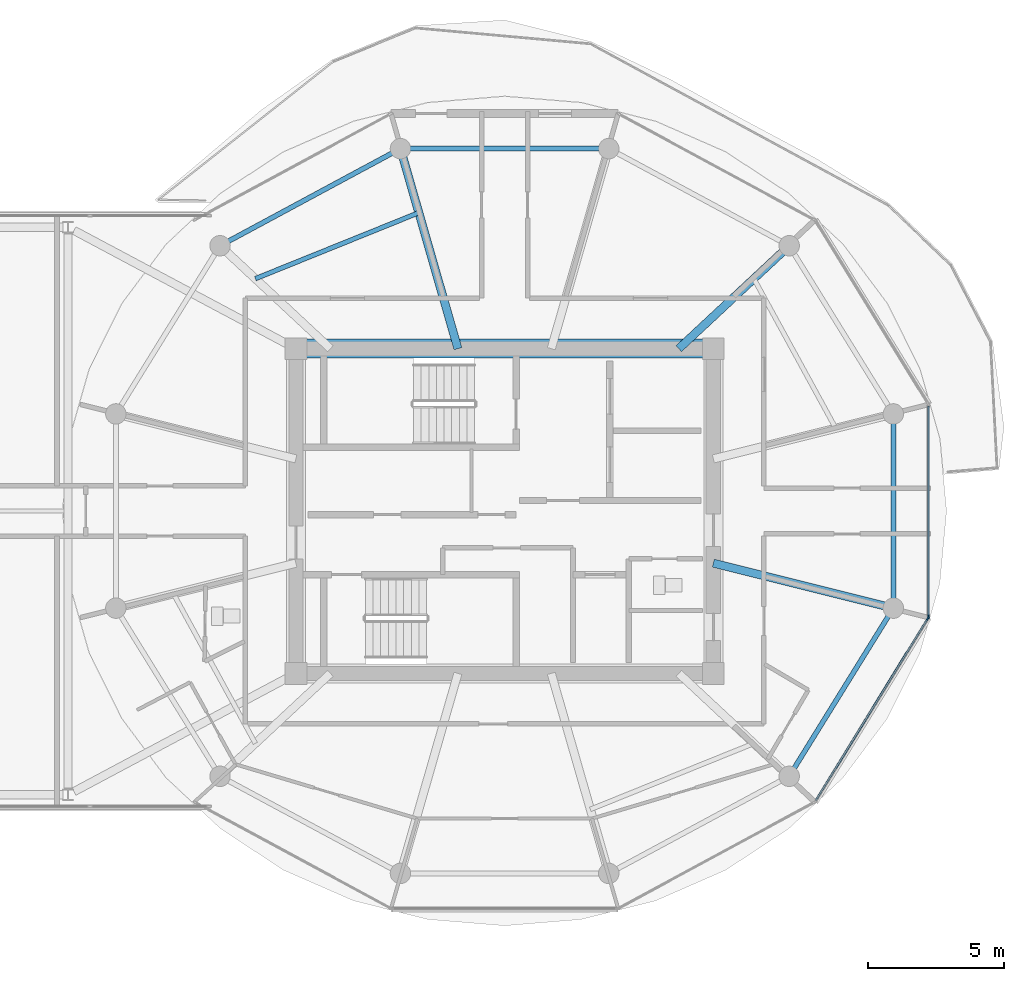
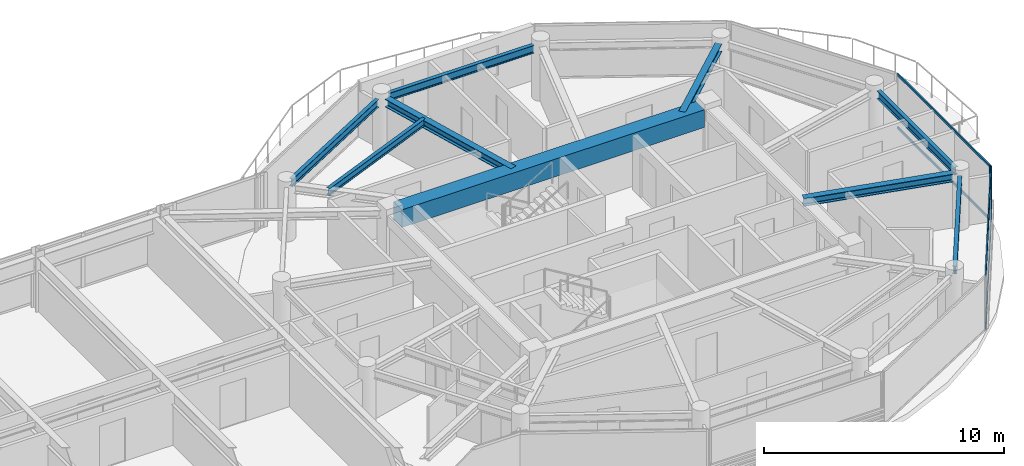
# One storey, part 10 of 24: 9 beams, 6 members, 2 elements without a shape of their own.
"""IFC4 building model written with IfcOpenShell, lengths in metres."""

from ifc_helpers import new_model, si_unit, direction, frame, origin, origin_2d, place, context, subcontext, project, spatial, rectangle, i_section, extrude, source, transform, mapped, material, layer, layer_set, material_profile, profile_set, type_object, type_shapes, element, aggregate, save


model = new_model("IFC4")

# Units and contexts
model_context = context("Model", 3, precision=1e-05, world=origin(), true_north=direction((0.0, 1.0)))
body_context = subcontext(model_context, "Body", "Model", "MODEL_VIEW")
ifc_project = project(units=[si_unit("LENGTHUNIT", "METRE"), si_unit("AREAUNIT", "SQUARE_METRE"), si_unit("VOLUMEUNIT", "CUBIC_METRE"), si_unit("PLANEANGLEUNIT", "RADIAN"), si_unit("MASSUNIT", "GRAM", prefix="KILO")], contexts=[model_context])

# Site, building, storey
site_placement = place(None, origin())
site = spatial("IfcSite", under=ifc_project, at=site_placement, CompositionType="ELEMENT")
building_placement = place(site_placement, origin())
building = spatial("IfcBuilding", under=site, at=building_placement, Name="Norrkilde Senior Care Towers", CompositionType="ELEMENT")
storey_placement = place(building_placement, frame((0.0, 0.0, 226.10009765625)))
storey = spatial("IfcBuildingStorey", under=building, at=storey_placement, Name="L70", CompositionType="ELEMENT", Elevation=226.10009765625)

# Beams
ifc_material_1 = material(Name="Concrete C60/75", Category="concrete")
ifc_material_profile_1 = material_profile(ifc_material_1, rectangle(XDim=0.699951171875, YDim=0.89990234375, at=origin_2d()), Name="RC BM 700x900")
ifc_profile_set_1 = profile_set([ifc_material_profile_1], Name="Concrete C60/75")
beam_type_1 = type_object("IfcBeamType", Name="Core Coupling Girder 700x900", PredefinedType="USERDEFINED", material=ifc_profile_set_1)
shared_shape_1 = source(origin(), body_context, "Body", "SweptSolid", [
    extrude(rectangle(XDim=0.699951171875, YDim=0.89990234375, at=origin_2d()), origin(), (0.0, 0.0, 1.0), 14.5400390625),
])
type_shapes(beam_type_1, [shared_shape_1])
beam_1_placement = place(storey_placement, frame((20.72998046875, 5.949951171875, 2.309814453125), z_axis=(1.0, 0.0, 0.0), x_axis=(0.0, 1.0, 0.0)))
element("IfcBeam", 1, at=beam_1_placement, inside=storey, type_object=beam_type_1, Name="L70 Core E N Coupling Girder", ObjectType="GIRDER", PredefinedType="USERDEFINED", context=body_context, shape_type="MappedRepresentation", body=[
    mapped(shared_shape_1, transform((0.0, 0.0, 0.0), x_axis=(1.0, 0.0, 0.0), y_axis=(0.0, 1.0, 0.0), z_axis=(0.0, 0.0, 1.0), scale=1.0)),
])
ifc_material_2 = material(Name="Steel S355", Category="steel")
ifc_material_profile_2 = material_profile(ifc_material_2, i_section(OverallWidth=0.179931640625, OverallDepth=0.39990234375, WebThickness=0.008544921875, FlangeThickness=0.013427734375, FilletRadius=0.02099609375, at=origin_2d()), Name="IPE 400")
ifc_profile_set_2 = profile_set([ifc_material_profile_2], Name="Steel S355")
beam_type_2 = type_object("IfcBeamType", Name="Perimeter Ring Spandrel Z4 IPE400", PredefinedType="SPANDREL", material=ifc_profile_set_2)
shared_shape_2 = source(origin(), body_context, "Body", "SweptSolid", [
    extrude(i_section(OverallWidth=0.179931640625, OverallDepth=0.39990234375, WebThickness=0.008544921875, FlangeThickness=0.013427734375, FilletRadius=0.02099609375, at=origin_2d()), origin(), (0.0, 0.0, 1.0), 6.58056640625),
])
beam_2_placement = place(storey_placement, frame((38.606201171875, -9.43798828125, 2.559814453125), z_axis=(0.526529583789, 0.850156807533, 0.0), x_axis=(-0.850156807533, 0.526529583789, 0.0)))
element("IfcBeam", 2, at=beam_2_placement, inside=storey, type_object=beam_type_2, Name="L70 Drum E Perimeter Spandrel 11", PredefinedType="SPANDREL", context=body_context, shape_type="MappedRepresentation", body=[
    mapped(shared_shape_2, transform((0.0, 0.0, 0.0), x_axis=(1.0, 0.0, 0.0), y_axis=(0.0, 1.0, 0.0), z_axis=(0.0, 0.0, 1.0), scale=1.0)),
])
ifc_material_profile_3 = material_profile(ifc_material_2, i_section(OverallWidth=0.300048828125, OverallDepth=0.39990234375, WebThickness=0.013427734375, FlangeThickness=0.02392578125, FilletRadius=0.027099609375, at=origin_2d()), Name="HEB 400")
ifc_profile_set_3 = profile_set([ifc_material_profile_3], Name="Steel S355")
beam_type_3 = type_object("IfcBeamType", Name="Radial Floor Beam Z4 HEB400", PredefinedType="BEAM", material=ifc_profile_set_3)
shared_shape_3 = source(origin(), body_context, "Body", "SweptSolid", [
    extrude(i_section(OverallWidth=0.300048828125, OverallDepth=0.39990234375, WebThickness=0.013427734375, FlangeThickness=0.02392578125, FilletRadius=0.027099609375, at=origin_2d()), origin(), (0.0, 0.0, 1.0), 6.465087890625),
])
beam_3_placement = place(storey_placement, frame((35.64990234375, -1.910888671875, 2.559814453125), z_axis=(0.970195788563, -0.242322371758, 0.0), x_axis=(0.242322371758, 0.970195788563, 0.0)))
element("IfcBeam", 3, at=beam_3_placement, inside=storey, type_object=beam_type_3, Name="L70 Drum E Radial Floor Beam 12", PredefinedType="BEAM", context=body_context, shape_type="MappedRepresentation", body=[
    mapped(shared_shape_3, transform((0.0, 0.0, 0.0), x_axis=(1.0, 0.0, 0.0), y_axis=(0.0, 1.0, 0.0), z_axis=(0.0, 0.0, 1.0), scale=1.0)),
])
shared_shape_4 = source(origin(), body_context, "Body", "SweptSolid", [
    extrude(i_section(OverallWidth=0.179931640625, OverallDepth=0.39990234375, WebThickness=0.008544921875, FlangeThickness=0.013427734375, FilletRadius=0.02099609375, at=origin_2d()), origin(), (0.0, 0.0, 1.0), 6.839111328125),
])
beam_4_placement = place(storey_placement, frame((23.887451171875, 13.122802734375, 2.559814453125), z_axis=(-0.880563930732, -0.473927382511, 0.0), x_axis=(0.473927382511, -0.880563930732, 0.0)))
element("IfcBeam", 4, at=beam_4_placement, inside=storey, type_object=beam_type_2, Name="L70 Drum E Perimeter Spandrel 04", PredefinedType="SPANDREL", context=body_context, shape_type="MappedRepresentation", body=[
    mapped(shared_shape_4, transform((0.0, 0.0, 0.0), x_axis=(1.0, 0.0, 0.0), y_axis=(0.0, 1.0, 0.0), z_axis=(0.0, 0.0, 1.0), scale=1.0)),
])
shared_shape_5 = source(origin(), body_context, "Body", "SweptSolid", [
    extrude(i_section(OverallWidth=0.300048828125, OverallDepth=0.39990234375, WebThickness=0.013427734375, FlangeThickness=0.02392578125, FilletRadius=0.027099609375, at=origin_2d()), origin(), (0.0, 0.0, 1.0), 5.197998046875),
])
beam_5_placement = place(storey_placement, frame((34.3828125, 5.949951171875, 2.559814453125), z_axis=(0.731448749334, 0.681896419625, 0.0), x_axis=(-0.681896419625, 0.731448749334, 0.0)))
element("IfcBeam", 5, at=beam_5_placement, inside=storey, type_object=beam_type_3, Name="L70 Drum E Radial Floor Beam 02", PredefinedType="BEAM", context=body_context, shape_type="MappedRepresentation", body=[
    mapped(shared_shape_5, transform((0.0, 0.0, 0.0), x_axis=(1.0, 0.0, 0.0), y_axis=(0.0, 1.0, 0.0), z_axis=(0.0, 0.0, 1.0), scale=1.0)),
])
shared_shape_6 = source(origin(), body_context, "Body", "SweptSolid", [
    extrude(i_section(OverallWidth=0.179931640625, OverallDepth=0.39990234375, WebThickness=0.008544921875, FlangeThickness=0.013427734375, FilletRadius=0.02099609375, at=origin_2d()), origin(), (0.0, 0.0, 1.0), 6.96533203125),
])
beam_6_placement = place(storey_placement, frame((31.482666015625, 13.281494140625, 2.559814453125), z_axis=(-1.0, 0.0, 0.0), x_axis=(0.0, -1.0, 0.0)))
element("IfcBeam", 6, at=beam_6_placement, inside=storey, type_object=beam_type_2, Name="L70 Drum E Perimeter Spandrel 03", PredefinedType="SPANDREL", context=body_context, shape_type="MappedRepresentation", body=[
    mapped(shared_shape_6, transform((0.0, 0.0, 0.0), x_axis=(1.0, 0.0, 0.0), y_axis=(0.0, 1.0, 0.0), z_axis=(0.0, 0.0, 1.0), scale=1.0)),
])
shared_shape_7 = source(origin(), body_context, "Body", "SweptSolid", [
    extrude(i_section(OverallWidth=0.300048828125, OverallDepth=0.39990234375, WebThickness=0.013427734375, FlangeThickness=0.02392578125, FilletRadius=0.027099609375, at=origin_2d()), origin(), (0.0, 0.0, 1.0), 7.29345703125),
])
type_shapes(beam_type_3, [shared_shape_3, shared_shape_5, shared_shape_7])
beam_7_placement = place(storey_placement, frame((26.289794921875, 5.949951171875, 2.559814453125), z_axis=(-0.276263751906, 0.961081858836, 0.0), x_axis=(-0.961081858836, -0.276263751906, 0.0)))
element("IfcBeam", 7, at=beam_7_placement, inside=storey, type_object=beam_type_3, Name="L70 Drum E Radial Floor Beam 04", PredefinedType="BEAM", context=body_context, shape_type="MappedRepresentation", body=[
    mapped(shared_shape_7, transform((0.0, 0.0, 0.0), x_axis=(1.0, 0.0, 0.0), y_axis=(0.0, 1.0, 0.0), z_axis=(0.0, 0.0, 1.0), scale=1.0)),
])
shared_shape_8 = source(origin(), body_context, "Body", "SweptSolid", [
    extrude(i_section(OverallWidth=0.179931640625, OverallDepth=0.39990234375, WebThickness=0.008544921875, FlangeThickness=0.013427734375, FilletRadius=0.02099609375, at=origin_2d()), origin(), (0.0, 0.0, 1.0), 6.44775390625),
])
type_shapes(beam_type_2, [shared_shape_2, shared_shape_4, shared_shape_6, shared_shape_8])
beam_8_placement = place(storey_placement, frame((42.247314453125, -3.223876953125, 2.559814453125), z_axis=(0.0, 1.0, 0.0), x_axis=(-1.0, 0.0, 0.0)))
element("IfcBeam", 8, at=beam_8_placement, inside=storey, type_object=beam_type_2, Name="L70 Drum E Perimeter Spandrel 12", PredefinedType="SPANDREL", context=body_context, shape_type="MappedRepresentation", body=[
    mapped(shared_shape_8, transform((0.0, 0.0, 0.0), x_axis=(1.0, 0.0, 0.0), y_axis=(0.0, 1.0, 0.0), z_axis=(0.0, 0.0, 1.0), scale=1.0)),
])
ifc_material_profile_4 = material_profile(ifc_material_2, i_section(OverallWidth=0.169921875, OverallDepth=0.360107421875, WebThickness=0.008056640625, FlangeThickness=0.0126953125, FilletRadius=0.01806640625, at=origin_2d()), Name="IPE 360")
ifc_profile_set_4 = profile_set([ifc_material_profile_4], Name="Steel S355")
beam_type_4 = type_object("IfcBeamType", Name="Secondary Floor Joist IPE360", PredefinedType="JOIST", material=ifc_profile_set_4)
shared_shape_9 = source(origin(), body_context, "Body", "SweptSolid", [
    extrude(i_section(OverallWidth=0.169921875, OverallDepth=0.360107421875, WebThickness=0.008056640625, FlangeThickness=0.0126953125, FilletRadius=0.01806640625, at=origin_2d()), origin(), (0.0, 0.0, 1.0), 6.461669921875),
])
type_shapes(beam_type_4, [shared_shape_9])
beam_9_placement = place(storey_placement, frame((24.856689453125, 10.935302734375, 2.579833984375), z_axis=(-0.927225942298, -0.374502405772, 0.0), x_axis=(0.374502405772, -0.927225942298, 0.0)))
element("IfcBeam", 9, at=beam_9_placement, inside=storey, type_object=beam_type_4, Name="L70 Drum E Secondary Floor Joist 2", PredefinedType="JOIST", context=body_context, shape_type="MappedRepresentation", body=[
    mapped(shared_shape_9, transform((0.0, 0.0, 0.0), x_axis=(1.0, 0.0, 0.0), y_axis=(0.0, 1.0, 0.0), z_axis=(0.0, 0.0, 1.0), scale=1.0)),
])

# Curtain wall, members
ifc_material_3 = material(Name="Triple Low-E Insulated Glazing", Category="glass")
ifc_layer = layer(ifc_material_3, 0.18505859375)
ifc_layer_set = layer_set([ifc_layer], Name="Triple Low-E Insulated Glazing")
curtain_wall_type = type_object("IfcCurtainWallType", Name="CW6 Zone 4 Crown Pavilion Curtain Wall", PredefinedType="NOTDEFINED", material=ifc_layer_set)
curtain_wall_1_placement = place(storey_placement, origin())
curtain_wall_1 = element("IfcCurtainWall", 10, at=curtain_wall_1_placement, inside=storey, type_object=curtain_wall_type, Name="L70 Drum E Curtain Wall 10", PredefinedType="NOTDEFINED")
ifc_material_4 = material(Name="Anodised Aluminium", Category="aluminium")
ifc_material_profile_5 = material_profile(ifc_material_4, rectangle(XDim=0.06005859375, YDim=0.1201171875, at=origin_2d()), Name="ALU TRAN 60x120")
ifc_profile_set_5 = profile_set([ifc_material_profile_5], Name="Anodised Aluminium")
member_type_1 = type_object("IfcMemberType", Name="Curtain Wall Transom Typical 60x120", PredefinedType="USERDEFINED", material=ifc_profile_set_5)
shared_shape_10 = source(origin(), body_context, "Body", "SweptSolid", [
    extrude(rectangle(XDim=0.06005859375, YDim=0.1201171875, at=origin_2d()), origin(), (0.0, 0.0, 1.0), 7.808837890625),
])
member_1_placement = place(storey_placement, frame((43.498046875, -3.958251953125, 0.02978515625), z_axis=(-0.524250924101, -0.851563837055, 0.0), x_axis=(0.851563837055, -0.524250924101, 0.0)))
member_1 = element("IfcMember", 11, at=member_1_placement, type_object=member_type_1, Name="CW-6 transom 1.1", ObjectType="TRANSOM", PredefinedType="USERDEFINED", context=body_context, shape_type="MappedRepresentation", body=[
    mapped(shared_shape_10, transform((0.0, 0.0, 0.0), x_axis=(1.0, 0.0, 0.0), y_axis=(0.0, 1.0, 0.0), z_axis=(0.0, 0.0, 1.0), scale=1.0)),
])
member_2_placement = place(storey_placement, frame((43.498046875, -3.958251953125, 2.72998046875), z_axis=(-0.524250924101, -0.851563837055, 0.0), x_axis=(0.851563837055, -0.524250924101, 0.0)))
member_2 = element("IfcMember", 12, at=member_2_placement, type_object=member_type_1, Name="CW-6 transom 1.2", ObjectType="TRANSOM", PredefinedType="USERDEFINED", context=body_context, shape_type="MappedRepresentation", body=[
    mapped(shared_shape_10, transform((0.0, 0.0, 0.0), x_axis=(1.0, 0.0, 0.0), y_axis=(0.0, 1.0, 0.0), z_axis=(0.0, 0.0, 1.0), scale=1.0)),
])

curtain_wall_2_placement = place(storey_placement, origin())
curtain_wall_2 = element("IfcCurtainWall", 13, at=curtain_wall_2_placement, inside=storey, type_object=curtain_wall_type, Name="L70 Drum E Curtain Wall 11", PredefinedType="NOTDEFINED")
shared_shape_11 = source(origin(), body_context, "Body", "SweptSolid", [
    extrude(rectangle(XDim=0.06005859375, YDim=0.1201171875, at=origin_2d()), origin(), (0.0, 0.0, 1.0), 7.67578125),
])
type_shapes(member_type_1, [shared_shape_10, shared_shape_11])
member_3_placement = place(storey_placement, frame((43.531982421875, 3.837890625, 0.02978515625), z_axis=(0.0, -1.0, 0.0), x_axis=(1.0, 0.0, 0.0)))
member_3 = element("IfcMember", 14, at=member_3_placement, type_object=member_type_1, Name="CW-6 transom 1.1", ObjectType="TRANSOM", PredefinedType="USERDEFINED", context=body_context, shape_type="MappedRepresentation", body=[
    mapped(shared_shape_11, transform((0.0, 0.0, 0.0), x_axis=(1.0, 0.0, 0.0), y_axis=(0.0, 1.0, 0.0), z_axis=(0.0, 0.0, 1.0), scale=1.0)),
])
member_4_placement = place(storey_placement, frame((43.531982421875, 3.837890625, 2.72998046875), z_axis=(0.0, -1.0, 0.0), x_axis=(1.0, 0.0, 0.0)))
member_4 = element("IfcMember", 15, at=member_4_placement, type_object=member_type_1, Name="CW-6 transom 1.2", ObjectType="TRANSOM", PredefinedType="USERDEFINED", context=body_context, shape_type="MappedRepresentation", body=[
    mapped(shared_shape_11, transform((0.0, 0.0, 0.0), x_axis=(1.0, 0.0, 0.0), y_axis=(0.0, 1.0, 0.0), z_axis=(0.0, 0.0, 1.0), scale=1.0)),
])

# Member
ifc_material_profile_6 = material_profile(ifc_material_4, rectangle(XDim=0.06494140625, YDim=0.14990234375, at=origin_2d()), Name="ALU MULL 65x150")
ifc_profile_set_6 = profile_set([ifc_material_profile_6], Name="Anodised Aluminium")
member_type_2 = type_object("IfcMemberType", Name="Curtain Wall Mullion Z3-Z4 65x150", PredefinedType="MULLION", material=ifc_profile_set_6)
shared_shape_12 = source(origin(), body_context, "Body", "SweptSolid", [
    extrude(rectangle(XDim=0.06494140625, YDim=0.14990234375, at=origin_2d()), origin(), (0.0, 0.0, 1.0), 2.760009765625),
])
type_shapes(member_type_2, [shared_shape_12])
member_5_placement = place(storey_placement, frame((43.51513671875, -3.9306640625, 0.0), z_axis=(0.0, 0.0, 1.0), x_axis=(0.851562727283, -0.524252726748, 0.0)))
member_5 = element("IfcMember", 16, at=member_5_placement, type_object=member_type_2, Name="CW-6 mullion 1", PredefinedType="MULLION", context=body_context, shape_type="MappedRepresentation", body=[
    mapped(shared_shape_12, transform((0.0, 0.0, 0.0), x_axis=(1.0, 0.0, 0.0), y_axis=(0.0, 1.0, 0.0), z_axis=(0.0, 0.0, 1.0), scale=1.0)),
])

aggregate(curtain_wall_1, [member_5, member_1, member_2])

member_6_placement = place(storey_placement, frame((43.531982421875, -3.87060546875, 0.0), z_axis=(0.0, 0.0, 1.0), x_axis=(1.0, 0.0, 0.0)))
member_6 = element("IfcMember", 17, at=member_6_placement, type_object=member_type_2, Name="CW-6 mullion 2", PredefinedType="MULLION", context=body_context, shape_type="MappedRepresentation", body=[
    mapped(shared_shape_12, transform((0.0, 0.0, 0.0), x_axis=(1.0, 0.0, 0.0), y_axis=(0.0, 1.0, 0.0), z_axis=(0.0, 0.0, 1.0), scale=1.0)),
])

aggregate(curtain_wall_2, [member_6, member_3, member_4])

save(model, "model.ifc")
